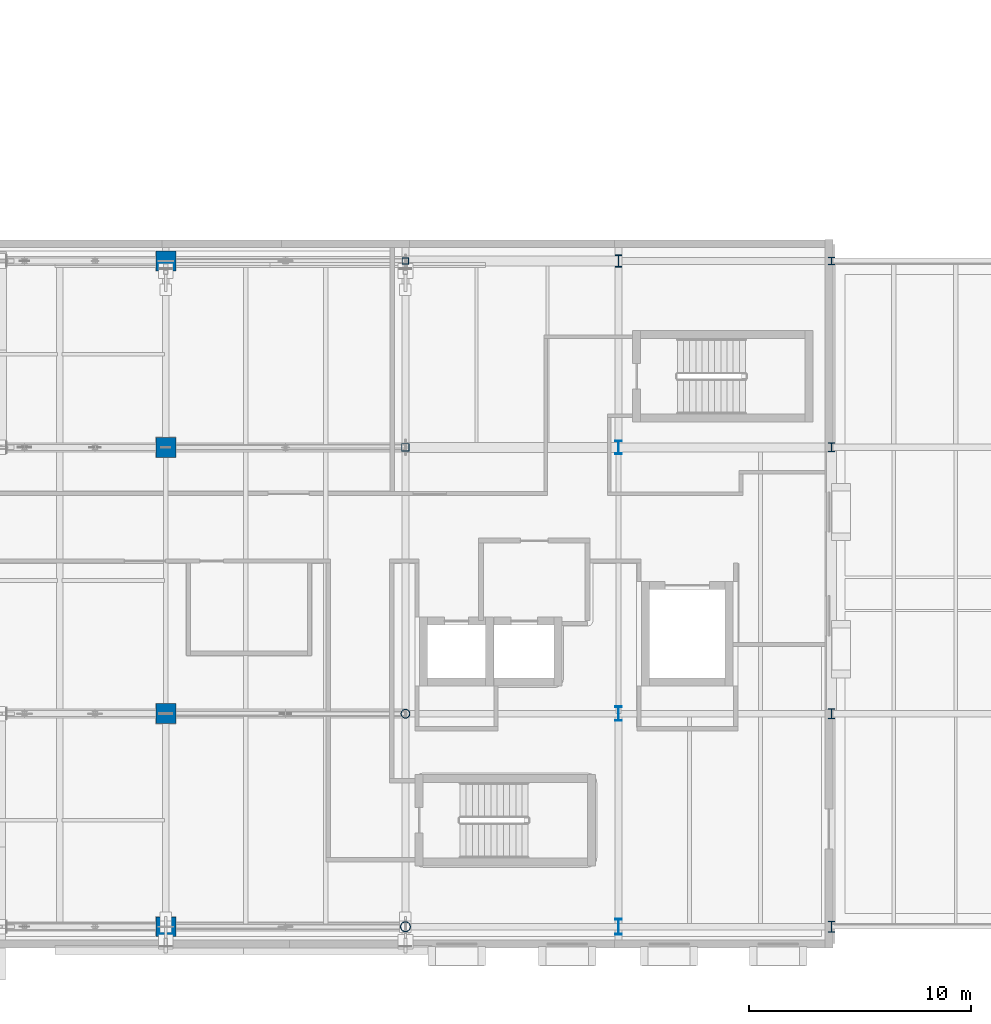
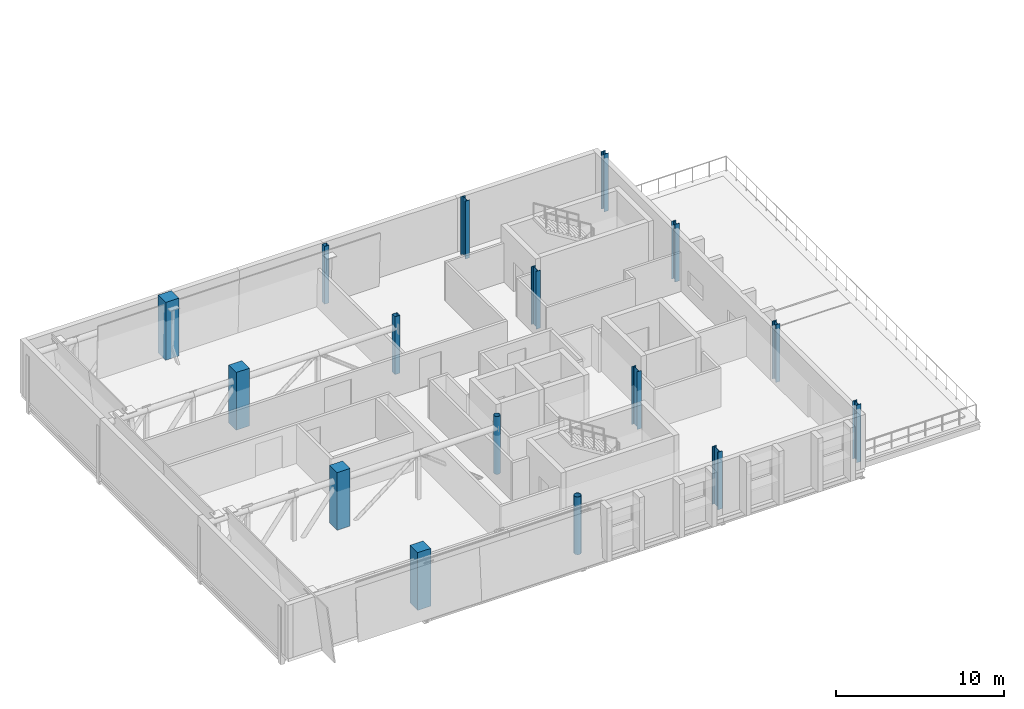
# One storey, part 1 of 89: 16 columns.
"""IFC4 building model written with IfcOpenShell, lengths in metres."""

from ifc_helpers import new_model, si_unit, direction, frame, origin, origin_2d, place, context, subcontext, project, spatial, rectangle, hollow_rectangle, hollow_circle, i_section, extrude, material, material_profile, profile_set, type_object, element, save


model = new_model("IFC4")

# Units and contexts
model_context = context("Model", 3, precision=1e-05, world=origin(), true_north=direction((0.0, 1.0)))
body_context = subcontext(model_context, "Body", "Model", "MODEL_VIEW")
ifc_project = project(units=[si_unit("LENGTHUNIT", "METRE"), si_unit("AREAUNIT", "SQUARE_METRE"), si_unit("VOLUMEUNIT", "CUBIC_METRE"), si_unit("PLANEANGLEUNIT", "RADIAN"), si_unit("MASSUNIT", "GRAM", prefix="KILO")], contexts=[model_context])

# Site, building, storey
site_placement = place(None, origin())
site = spatial("IfcSite", under=ifc_project, at=site_placement, CompositionType="ELEMENT")
building_placement = place(site_placement, origin())
building = spatial("IfcBuilding", under=site, at=building_placement, Name="Zereglee Splitstone Museum", CompositionType="ELEMENT")
storey_placement = place(building_placement, frame((0.0, 0.0, 21.300048828125)))
storey = spatial("IfcBuildingStorey", under=building, at=storey_placement, Name="L04", CompositionType="ELEMENT", Elevation=21.300048828125)

# Columns
ifc_material_1 = material(Name="Concrete C45/55", Category="concrete")
ifc_material_profile_1 = material_profile(ifc_material_1, rectangle(XDim=0.89990234375, YDim=0.89990234375, at=origin_2d()), Name="RC 900x900")
ifc_profile_set_1 = profile_set([ifc_material_profile_1], Name="Concrete C45/55")
column_type_1 = type_object("IfcColumnType", Name="C-03", PredefinedType="COLUMN", material=ifc_profile_set_1)
for number, where, z_axis, x_axis, name in (
    (1, (9.60009765625, 0.0, 0.0), (0.0, 0.0, 1.0), (1.0, 0.0, 0.0), "Column 2/A L04"),
    (2, (9.60009765625, 9.60009765625, 0.0), (0.0, 0.0, 1.0), (1.0, 0.0, 0.0), "Column 2/B L04"),
    (3, (9.60009765625, 21.60009765625, 0.0), (0.0, 0.0, 1.0), (1.0, 0.0, 0.0), "Column 2/C L04"),
    (4, (9.60009765625, 30.0, 0.0), (0.0, 0.0, 1.0), (1.0, 0.0, 0.0), "Column 2/D L04"),
):
    element("IfcColumn", number, at=place(storey_placement, frame(where, z_axis=z_axis, x_axis=x_axis)), inside=storey, type_object=column_type_1, Name=name, PredefinedType="COLUMN", context=body_context, shape_type="SweptSolid", body=[
        extrude(rectangle(XDim=0.89990234375, YDim=0.89990234375, at=origin_2d()), origin(), (0.0, 0.0, 1.0), 4.199951171875),
    ])
ifc_material_2 = material(Name="Steel S355J2H", Category="steel")
ifc_material_profile_2 = material_profile(ifc_material_2, hollow_circle(Radius=0.203125, WallThickness=0.02001953125, at=origin_2d()), Name="CHS 406.4x20")
ifc_profile_set_2 = profile_set([ifc_material_profile_2], Name="Steel S355J2H")
column_type_2 = type_object("IfcColumnType", Name="C-18", PredefinedType="COLUMN", material=ifc_profile_set_2)
column_1_placement = place(storey_placement, frame((20.39990234375, 9.60009765625, 0.0), z_axis=(0.0, 0.0, 1.0), x_axis=(1.0, 0.0, 0.0)))
element("IfcColumn", 5, at=column_1_placement, inside=storey, type_object=column_type_2, Name="Column 4/B L04", PredefinedType="COLUMN", context=body_context, shape_type="SweptSolid", body=[
    extrude(hollow_circle(Radius=0.203125, WallThickness=0.02001953125, at=origin_2d()), origin(), (0.0, 0.0, 1.0), 4.199951171875),
])
ifc_material_profile_3 = material_profile(ifc_material_2, hollow_circle(Radius=0.228515625, WallThickness=0.02001953125, at=origin_2d()), Name="CHS 457.0x20")
ifc_profile_set_3 = profile_set([ifc_material_profile_3], Name="Steel S355J2H")
column_type_3 = type_object("IfcColumnType", Name="C-17", PredefinedType="COLUMN", material=ifc_profile_set_3)
column_2_placement = place(storey_placement, frame((20.39990234375, 0.0, 0.0), z_axis=(0.0, 0.0, 1.0), x_axis=(1.0, 0.0, 0.0)))
element("IfcColumn", 6, at=column_2_placement, inside=storey, type_object=column_type_3, Name="Column 4/A L04", PredefinedType="COLUMN", context=body_context, shape_type="SweptSolid", body=[
    extrude(hollow_circle(Radius=0.228515625, WallThickness=0.02001953125, at=origin_2d()), origin(), (0.0, 0.0, 1.0), 4.199951171875),
])
ifc_material_3 = material(Name="Steel S355J2", Category="steel")
ifc_material_profile_4 = material_profile(ifc_material_3, i_section(OverallWidth=0.300048828125, OverallDepth=0.360107421875, WebThickness=0.012451171875, FlangeThickness=0.0224609375, FilletRadius=0.027099609375, at=origin_2d()), Name="HE 360 B")
ifc_profile_set_4 = profile_set([ifc_material_profile_4], Name="Steel S355J2")
column_type_4 = type_object("IfcColumnType", Name="C-16", PredefinedType="COLUMN", material=ifc_profile_set_4)
column_3_placement = place(storey_placement, frame((39.60009765625, 30.0, 0.0), z_axis=(0.0, 0.0, 1.0), x_axis=(1.0, 0.0, 0.0)))
element("IfcColumn", 7, at=column_3_placement, inside=storey, type_object=column_type_4, Name="Column 6/D L04", PredefinedType="COLUMN", context=body_context, shape_type="SweptSolid", body=[
    extrude(i_section(OverallWidth=0.300048828125, OverallDepth=0.360107421875, WebThickness=0.012451171875, FlangeThickness=0.0224609375, FilletRadius=0.027099609375, at=origin_2d()), origin(), (0.0, 0.0, 1.0), 4.199951171875),
])
ifc_material_profile_5 = material_profile(ifc_material_3, i_section(OverallWidth=0.300048828125, OverallDepth=0.39990234375, WebThickness=0.013427734375, FlangeThickness=0.02392578125, FilletRadius=0.027099609375, at=origin_2d()), Name="HE 400 B")
ifc_profile_set_5 = profile_set([ifc_material_profile_5], Name="Steel S355J2")
column_type_5 = type_object("IfcColumnType", Name="C-15", PredefinedType="COLUMN", material=ifc_profile_set_5)
column_4_placement = place(storey_placement, frame((39.60009765625, 21.60009765625, 0.0), z_axis=(0.0, 0.0, 1.0), x_axis=(1.0, 0.0, 0.0)))
element("IfcColumn", 8, at=column_4_placement, inside=storey, type_object=column_type_5, Name="Column 6/C L04", PredefinedType="COLUMN", context=body_context, shape_type="SweptSolid", body=[
    extrude(i_section(OverallWidth=0.300048828125, OverallDepth=0.39990234375, WebThickness=0.013427734375, FlangeThickness=0.02392578125, FilletRadius=0.027099609375, at=origin_2d()), origin(), (0.0, 0.0, 1.0), 4.199951171875),
])
ifc_material_profile_6 = material_profile(ifc_material_3, i_section(OverallWidth=0.300048828125, OverallDepth=0.449951171875, WebThickness=0.013916015625, FlangeThickness=0.02587890625, FilletRadius=0.027099609375, at=origin_2d()), Name="HE 450 B")
ifc_profile_set_6 = profile_set([ifc_material_profile_6], Name="Steel S355J2")
column_type_6 = type_object("IfcColumnType", Name="C-14", PredefinedType="COLUMN", material=ifc_profile_set_6)
column_5_placement = place(storey_placement, frame((39.60009765625, 9.60009765625, 0.0), z_axis=(0.0, 0.0, 1.0), x_axis=(1.0, 0.0, 0.0)))
element("IfcColumn", 9, at=column_5_placement, inside=storey, type_object=column_type_6, Name="Column 6/B L04", PredefinedType="COLUMN", context=body_context, shape_type="SweptSolid", body=[
    extrude(i_section(OverallWidth=0.300048828125, OverallDepth=0.449951171875, WebThickness=0.013916015625, FlangeThickness=0.02587890625, FilletRadius=0.027099609375, at=origin_2d()), origin(), (0.0, 0.0, 1.0), 4.199951171875),
])
ifc_material_profile_7 = material_profile(ifc_material_3, i_section(OverallWidth=0.300048828125, OverallDepth=0.5, WebThickness=0.014404296875, FlangeThickness=0.028076171875, FilletRadius=0.027099609375, at=origin_2d()), Name="HE 500 B")
ifc_profile_set_7 = profile_set([ifc_material_profile_7], Name="Steel S355J2")
column_type_7 = type_object("IfcColumnType", Name="C-13", PredefinedType="COLUMN", material=ifc_profile_set_7)
column_6_placement = place(storey_placement, frame((39.60009765625, 0.0, 0.0), z_axis=(0.0, 0.0, 1.0), x_axis=(1.0, 0.0, 0.0)))
element("IfcColumn", 10, at=column_6_placement, inside=storey, type_object=column_type_7, Name="Column 6/A L04", PredefinedType="COLUMN", context=body_context, shape_type="SweptSolid", body=[
    extrude(i_section(OverallWidth=0.300048828125, OverallDepth=0.5, WebThickness=0.014404296875, FlangeThickness=0.028076171875, FilletRadius=0.027099609375, at=origin_2d()), origin(), (0.0, 0.0, 1.0), 4.199951171875),
])
ifc_material_profile_8 = material_profile(ifc_material_3, i_section(OverallWidth=0.300048828125, OverallDepth=0.550048828125, WebThickness=0.014892578125, FlangeThickness=0.029052734375, FilletRadius=0.027099609375, at=origin_2d()), Name="HE 550 B")
ifc_profile_set_8 = profile_set([ifc_material_profile_8], Name="Steel S355J2")
column_type_8 = type_object("IfcColumnType", Name="C-12", PredefinedType="COLUMN", material=ifc_profile_set_8)
column_7_placement = place(storey_placement, frame((30.0, 30.0, 0.0), z_axis=(0.0, 0.0, 1.0), x_axis=(1.0, 0.0, 0.0)))
element("IfcColumn", 11, at=column_7_placement, inside=storey, type_object=column_type_8, Name="Column 5/D L04", PredefinedType="COLUMN", context=body_context, shape_type="SweptSolid", body=[
    extrude(i_section(OverallWidth=0.300048828125, OverallDepth=0.550048828125, WebThickness=0.014892578125, FlangeThickness=0.029052734375, FilletRadius=0.027099609375, at=origin_2d()), origin(), (0.0, 0.0, 1.0), 4.199951171875),
])
ifc_material_profile_9 = material_profile(ifc_material_3, i_section(OverallWidth=0.300048828125, OverallDepth=0.60009765625, WebThickness=0.015380859375, FlangeThickness=0.030029296875, FilletRadius=0.027099609375, at=origin_2d()), Name="HE 600 B")
ifc_profile_set_9 = profile_set([ifc_material_profile_9], Name="Steel S355J2")
column_type_9 = type_object("IfcColumnType", Name="C-11", PredefinedType="COLUMN", material=ifc_profile_set_9)
column_8_placement = place(storey_placement, frame((30.0, 21.60009765625, 0.0), z_axis=(0.0, 0.0, 1.0), x_axis=(1.0, 0.0, 0.0)))
element("IfcColumn", 12, at=column_8_placement, inside=storey, type_object=column_type_9, Name="Column 5/C L04", PredefinedType="COLUMN", context=body_context, shape_type="SweptSolid", body=[
    extrude(i_section(OverallWidth=0.300048828125, OverallDepth=0.60009765625, WebThickness=0.015380859375, FlangeThickness=0.030029296875, FilletRadius=0.027099609375, at=origin_2d()), origin(), (0.0, 0.0, 1.0), 4.199951171875),
])
ifc_material_profile_10 = material_profile(ifc_material_3, i_section(OverallWidth=0.300048828125, OverallDepth=0.64990234375, WebThickness=0.01611328125, FlangeThickness=0.031005859375, FilletRadius=0.027099609375, at=origin_2d()), Name="HE 650 B")
ifc_profile_set_10 = profile_set([ifc_material_profile_10], Name="Steel S355J2")
column_type_10 = type_object("IfcColumnType", Name="C-10", PredefinedType="COLUMN", material=ifc_profile_set_10)
column_9_placement = place(storey_placement, frame((30.0, 9.60009765625, 0.0), z_axis=(0.0, 0.0, 1.0), x_axis=(1.0, 0.0, 0.0)))
element("IfcColumn", 13, at=column_9_placement, inside=storey, type_object=column_type_10, Name="Column 5/B L04", PredefinedType="COLUMN", context=body_context, shape_type="SweptSolid", body=[
    extrude(i_section(OverallWidth=0.300048828125, OverallDepth=0.64990234375, WebThickness=0.01611328125, FlangeThickness=0.031005859375, FilletRadius=0.027099609375, at=origin_2d()), origin(), (0.0, 0.0, 1.0), 4.199951171875),
])
ifc_material_profile_11 = material_profile(ifc_material_3, i_section(OverallWidth=0.300048828125, OverallDepth=0.699951171875, WebThickness=0.01708984375, FlangeThickness=0.031982421875, FilletRadius=0.027099609375, at=origin_2d()), Name="HE 700 B")
ifc_profile_set_11 = profile_set([ifc_material_profile_11], Name="Steel S355J2")
column_type_11 = type_object("IfcColumnType", Name="C-09", PredefinedType="COLUMN", material=ifc_profile_set_11)
column_10_placement = place(storey_placement, frame((30.0, 0.0, 0.0), z_axis=(0.0, 0.0, 1.0), x_axis=(1.0, 0.0, 0.0)))
element("IfcColumn", 14, at=column_10_placement, inside=storey, type_object=column_type_11, Name="Column 5/A L04", PredefinedType="COLUMN", context=body_context, shape_type="SweptSolid", body=[
    extrude(i_section(OverallWidth=0.300048828125, OverallDepth=0.699951171875, WebThickness=0.01708984375, FlangeThickness=0.031982421875, FilletRadius=0.027099609375, at=origin_2d()), origin(), (0.0, 0.0, 1.0), 4.199951171875),
])
ifc_material_profile_12 = material_profile(ifc_material_2, hollow_rectangle(XDim=0.300048828125, YDim=0.300048828125, WallThickness=0.01611328125, at=origin_2d()), Name="SHS 300x300x16")
ifc_profile_set_12 = profile_set([ifc_material_profile_12], Name="Steel S355J2H")
column_type_12 = type_object("IfcColumnType", Name="C-20", PredefinedType="COLUMN", material=ifc_profile_set_12)
column_11_placement = place(storey_placement, frame((20.39990234375, 30.0, 0.0), z_axis=(0.0, 0.0, 1.0), x_axis=(1.0, 0.0, 0.0)))
element("IfcColumn", 15, at=column_11_placement, inside=storey, type_object=column_type_12, Name="Column 4/D L04", PredefinedType="COLUMN", context=body_context, shape_type="SweptSolid", body=[
    extrude(hollow_rectangle(XDim=0.300048828125, YDim=0.300048828125, WallThickness=0.01611328125, at=origin_2d()), origin(), (0.0, 0.0, 1.0), 4.199951171875),
])
ifc_material_profile_13 = material_profile(ifc_material_2, hollow_rectangle(XDim=0.35009765625, YDim=0.35009765625, WallThickness=0.01611328125, at=origin_2d()), Name="SHS 350x350x16")
ifc_profile_set_13 = profile_set([ifc_material_profile_13], Name="Steel S355J2H")
column_type_13 = type_object("IfcColumnType", Name="C-19", PredefinedType="COLUMN", material=ifc_profile_set_13)
column_12_placement = place(storey_placement, frame((20.39990234375, 21.60009765625, 0.0), z_axis=(0.0, 0.0, 1.0), x_axis=(1.0, 0.0, 0.0)))
element("IfcColumn", 16, at=column_12_placement, inside=storey, type_object=column_type_13, Name="Column 4/C L04", PredefinedType="COLUMN", context=body_context, shape_type="SweptSolid", body=[
    extrude(hollow_rectangle(XDim=0.35009765625, YDim=0.35009765625, WallThickness=0.01611328125, at=origin_2d()), origin(), (0.0, 0.0, 1.0), 4.199951171875),
])

save(model, "model.ifc")
